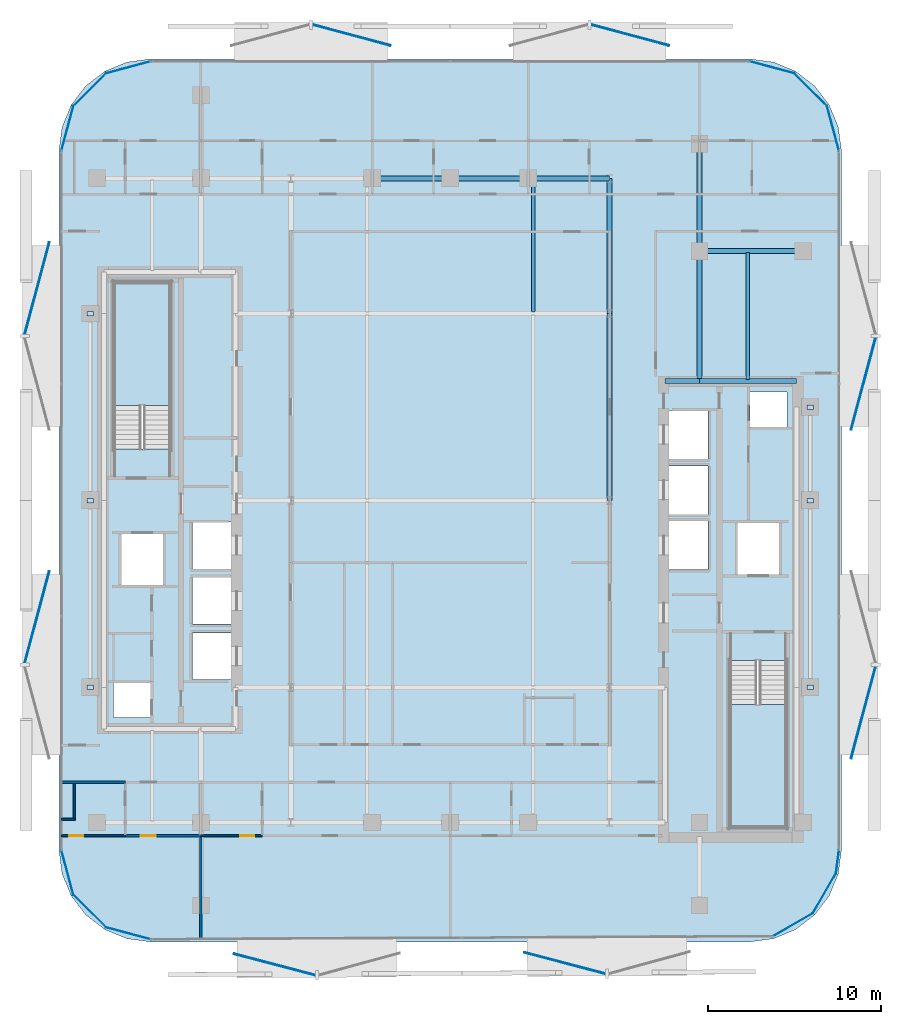
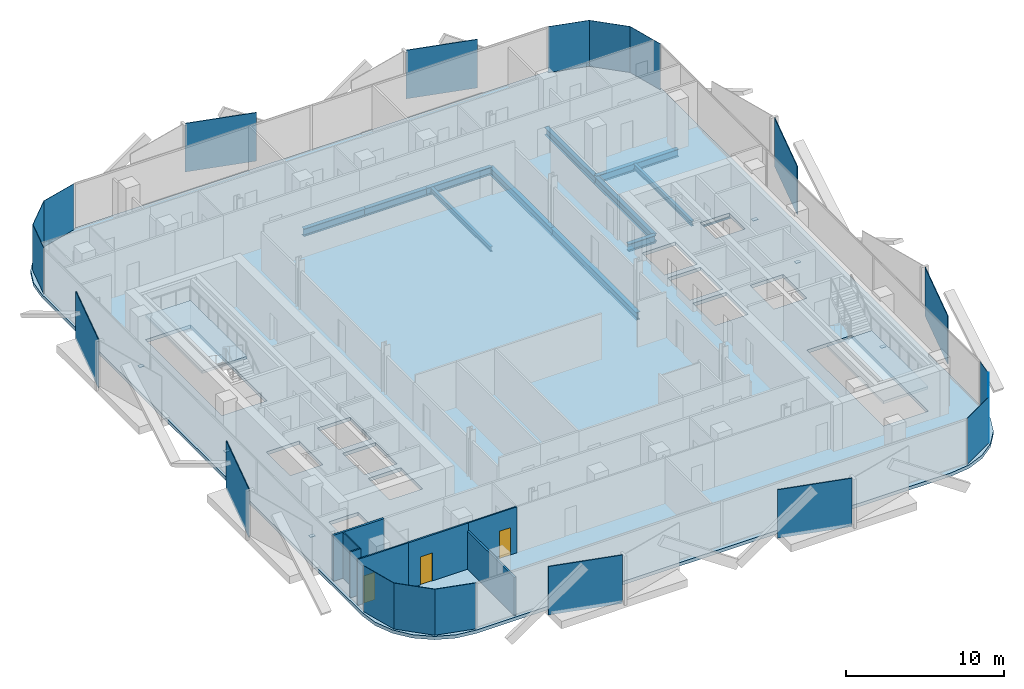
# One storey, part 2 of 17: 26 plates, 12 beams, 7 walls, 3 doors, 3 slabs, 3 openings, 2 elements without a shape of their own.
"""IFC4 building model written with IfcOpenShell, lengths in metres."""

from ifc_helpers import new_model, si_unit, direction, frame, frame_2d, origin, origin_2d, place, context, subcontext, project, spatial, polyline, rectangle, i_section, outline, extrude, material, layer, layer_set, material_profile, profile_set, type_object, element, fill, aggregate, save


model = new_model("IFC4")

# Units and contexts
model_context = context("Model", 3, precision=1e-05, world=origin(), true_north=direction((0.0, 1.0)))
body_context = subcontext(model_context, "Body", "Model", "MODEL_VIEW")
ifc_project = project(units=[si_unit("LENGTHUNIT", "METRE"), si_unit("AREAUNIT", "SQUARE_METRE"), si_unit("VOLUMEUNIT", "CUBIC_METRE"), si_unit("PLANEANGLEUNIT", "RADIAN"), si_unit("MASSUNIT", "GRAM", prefix="KILO")], contexts=[model_context])

# Site, building, storey
site_placement = place(None, origin())
site = spatial("IfcSite", under=ifc_project, at=site_placement, CompositionType="ELEMENT")
building_placement = place(site_placement, origin())
building = spatial("IfcBuilding", under=site, at=building_placement, Name="Khairoan Windgate Tower", CompositionType="ELEMENT")
storey_placement = place(building_placement, frame((0.0, 0.0, 172.60009765625)))
storey = spatial("IfcBuildingStorey", under=building, at=storey_placement, Name="L39", CompositionType="ELEMENT", Elevation=172.60009765625)

# Beams
ifc_material_1 = material(Name="Steel S355", Category="steel")
ifc_material_profile_1 = material_profile(ifc_material_1, i_section(OverallWidth=0.300048828125, OverallDepth=0.587890625, WebThickness=0.011962890625, FlangeThickness=0.02001953125, FilletRadius=0.02392578125, at=origin_2d()))
ifc_profile_set_1 = profile_set([ifc_material_profile_1], Name="Steel S355")
beam_type_1 = type_object("IfcBeamType", Name="Beam B-G4 H588x300x12x20", PredefinedType="BEAM", material=ifc_profile_set_1)
beam_1_placement = place(storey_placement, frame((12.39990234375, 6.89990234375, -0.55419921875), z_axis=(1.0, 0.0, 0.0), x_axis=(0.0, 1.0, 0.0)))
element("IfcBeam", 1, at=beam_1_placement, inside=storey, type_object=beam_type_1, Name="L39 E-W Primary Girder 15", PredefinedType="BEAM", context=body_context, shape_type="SweptSolid", body=[
    extrude(i_section(OverallWidth=0.300048828125, OverallDepth=0.587890625, WebThickness=0.011962890625, FlangeThickness=0.02001953125, FilletRadius=0.02392578125, at=origin_2d()), origin(), (0.0, 0.0, 1.0), 2.0),
])
beam_2_placement = place(storey_placement, frame((14.39990234375, 6.89990234375, -0.55419921875), z_axis=(1.0, 0.0, 0.0), x_axis=(0.0, 1.0, 0.0)))
element("IfcBeam", 2, at=beam_2_placement, inside=storey, type_object=beam_type_1, Name="L39 E-W Primary Girder 16", PredefinedType="BEAM", context=body_context, shape_type="SweptSolid", body=[
    extrude(i_section(OverallWidth=0.300048828125, OverallDepth=0.587890625, WebThickness=0.011962890625, FlangeThickness=0.02001953125, FilletRadius=0.02392578125, at=origin_2d()), origin(), (0.0, 0.0, 1.0), 5.60009765625),
])
beam_3_placement = place(storey_placement, frame((14.39990234375, 14.39990234375, -0.55419921875), z_axis=(1.0, 0.0, 0.0), x_axis=(0.0, 1.0, 0.0)))
element("IfcBeam", 3, at=beam_3_placement, inside=storey, type_object=beam_type_1, Name="L39 E-W Primary Girder 21", PredefinedType="BEAM", context=body_context, shape_type="SweptSolid", body=[
    extrude(i_section(OverallWidth=0.300048828125, OverallDepth=0.587890625, WebThickness=0.011962890625, FlangeThickness=0.02001953125, FilletRadius=0.02392578125, at=origin_2d()), origin(), (0.0, 0.0, 1.0), 6.0),
])
for number, where, z_axis, x_axis, name in (
    (4, (-4.5, 18.60009765625, -0.55419921875), (1.0, 0.0, 0.0), (0.0, 1.0, 0.0), "L39 E-W Primary Girder 25"),
    (5, (0.0, 18.60009765625, -0.55419921875), (1.0, 0.0, 0.0), (0.0, 1.0, 0.0), "L39 E-W Primary Girder 26"),
):
    element("IfcBeam", number, at=place(storey_placement, frame(where, z_axis=z_axis, x_axis=x_axis)), inside=storey, type_object=beam_type_1, Name=name, PredefinedType="BEAM", context=body_context, shape_type="SweptSolid", body=[
        extrude(i_section(OverallWidth=0.300048828125, OverallDepth=0.587890625, WebThickness=0.011962890625, FlangeThickness=0.02001953125, FilletRadius=0.02392578125, at=origin_2d()), origin(), (0.0, 0.0, 1.0), 4.5),
    ])
beam_4_placement = place(storey_placement, frame((4.5, 18.60009765625, -0.55419921875), z_axis=(1.0, 0.0, 0.0), x_axis=(0.0, 1.0, 0.0)))
element("IfcBeam", 6, at=beam_4_placement, inside=storey, type_object=beam_type_1, Name="L39 E-W Primary Girder 27", PredefinedType="BEAM", context=body_context, shape_type="SweptSolid", body=[
    extrude(i_section(OverallWidth=0.300048828125, OverallDepth=0.587890625, WebThickness=0.011962890625, FlangeThickness=0.02001953125, FilletRadius=0.02392578125, at=origin_2d()), origin(), (0.0, 0.0, 1.0), 4.699951171875),
])
beam_5_placement = place(storey_placement, frame((9.199951171875, 0.0, -0.55419921875), z_axis=(0.0, 1.0, 0.0), x_axis=(-1.0, 0.0, 0.0)))
element("IfcBeam", 7, at=beam_5_placement, inside=storey, type_object=beam_type_1, Name="L39 N-S Primary Beam 47", PredefinedType="BEAM", context=body_context, shape_type="SweptSolid", body=[
    extrude(i_section(OverallWidth=0.300048828125, OverallDepth=0.587890625, WebThickness=0.011962890625, FlangeThickness=0.02001953125, FilletRadius=0.02392578125, at=origin_2d()), origin(), (0.0, 0.0, 1.0), 10.800048828125),
])
beam_6_placement = place(storey_placement, frame((9.199951171875, 10.800048828125, -0.55419921875), z_axis=(0.0, 1.0, 0.0), x_axis=(-1.0, 0.0, 0.0)))
element("IfcBeam", 8, at=beam_6_placement, inside=storey, type_object=beam_type_1, Name="L39 N-S Primary Beam 48", PredefinedType="BEAM", context=body_context, shape_type="SweptSolid", body=[
    extrude(i_section(OverallWidth=0.300048828125, OverallDepth=0.587890625, WebThickness=0.011962890625, FlangeThickness=0.02001953125, FilletRadius=0.02392578125, at=origin_2d()), origin(), (0.0, 0.0, 1.0), 7.800048828125),
])
beam_7_placement = place(storey_placement, frame((14.39990234375, 6.89990234375, -0.55419921875), z_axis=(0.0, 1.0, 0.0), x_axis=(-1.0, 0.0, 0.0)))
element("IfcBeam", 9, at=beam_7_placement, inside=storey, type_object=beam_type_1, Name="L39 N-S Primary Beam 51", PredefinedType="BEAM", context=body_context, shape_type="SweptSolid", body=[
    extrude(i_section(OverallWidth=0.300048828125, OverallDepth=0.587890625, WebThickness=0.011962890625, FlangeThickness=0.02001953125, FilletRadius=0.02392578125, at=origin_2d()), origin(), (0.0, 0.0, 1.0), 7.5),
])
beam_8_placement = place(storey_placement, frame((14.39990234375, 14.39990234375, -0.55419921875), z_axis=(0.0, 1.0, 0.0), x_axis=(-1.0, 0.0, 0.0)))
element("IfcBeam", 10, at=beam_8_placement, inside=storey, type_object=beam_type_1, Name="L39 N-S Primary Beam 52", PredefinedType="BEAM", context=body_context, shape_type="SweptSolid", body=[
    extrude(i_section(OverallWidth=0.300048828125, OverallDepth=0.587890625, WebThickness=0.011962890625, FlangeThickness=0.02001953125, FilletRadius=0.02392578125, at=origin_2d()), origin(), (0.0, 0.0, 1.0), 6.2001953125),
])
ifc_material_2 = material(Name="Steel S355", Category="steel")
ifc_material_profile_2 = material_profile(ifc_material_2, i_section(OverallWidth=0.199951171875, OverallDepth=0.39990234375, WebThickness=0.008056640625, FlangeThickness=0.012939453125, FilletRadius=0.01611328125, at=origin_2d()))
ifc_profile_set_2 = profile_set([ifc_material_profile_2], Name="Steel S355")
beam_type_2 = type_object("IfcBeamType", Name="Beam J-S4 H400x200x8x13", PredefinedType="JOIST", material=ifc_profile_set_2)
beam_9_placement = place(storey_placement, frame((4.800048828125, 10.889892578125, -0.460205078125), z_axis=(0.0, 1.0, 0.0), x_axis=(-1.0, 0.0, 0.0)))
element("IfcBeam", 11, at=beam_9_placement, inside=storey, type_object=beam_type_2, Name="L39 Secondary Floor Joist 10", PredefinedType="JOIST", context=body_context, shape_type="SweptSolid", body=[
    extrude(i_section(OverallWidth=0.199951171875, OverallDepth=0.39990234375, WebThickness=0.008056640625, FlangeThickness=0.012939453125, FilletRadius=0.01611328125, at=origin_2d()), origin(), (0.0, 0.0, 1.0), 7.6201171875),
])
beam_10_placement = place(storey_placement, frame((17.199951171875, 6.989990234375, -0.460205078125), z_axis=(0.0, 1.0, 0.0), x_axis=(-1.0, 0.0, 0.0)))
element("IfcBeam", 12, at=beam_10_placement, inside=storey, type_object=beam_type_2, Name="L39 Secondary Floor Joist 11", PredefinedType="JOIST", context=body_context, shape_type="SweptSolid", body=[
    extrude(i_section(OverallWidth=0.199951171875, OverallDepth=0.39990234375, WebThickness=0.008056640625, FlangeThickness=0.012939453125, FilletRadius=0.01611328125, at=origin_2d()), origin(), (0.0, 0.0, 1.0), 7.320068359375),
])

# Plates
ifc_material_3 = material(Name="Low-E Solar Control Laminated Glass", Category="glass")
ifc_layer_1 = layer(ifc_material_3, 0.030029296875, Name="Low-E Solar Control Laminated Glass")
ifc_layer_set_1 = layer_set([ifc_layer_1], Name="Low-E Solar Control Laminated Glass")
plate_type_1 = type_object("IfcPlateType", Name="Aerodynamic Wind-Corner Curved Glazing Plate", PredefinedType="USERDEFINED", material=ifc_layer_set_1)
plate_1_placement = place(storey_placement, frame((-18.585205078125, -25.013916015625, 0.0), z_axis=(0.0, 0.0, 1.0), x_axis=(-0.966061211211, 0.258313252067, 0.0)))
element("IfcPlate", 13, at=plate_1_placement, inside=storey, type_object=plate_type_1, Name="L39 Aerodynamic Wind-Corner Curved Glazing Panel 2", ObjectType="GLAZING PANEL", PredefinedType="USERDEFINED", context=body_context, shape_type="SweptSolid", body=[
    extrude(rectangle(XDim=2.719482421875, YDim=0.030029296875, at=origin_2d()), origin(), (0.0, 0.0, 1.0), 3.5400390625),
])
plate_2_placement = place(storey_placement, frame((-20.823486328125, -23.723388671875, 0.0), z_axis=(0.0, 0.0, 1.0), x_axis=(-0.707106781187, 0.707106781187, 0.0)))
element("IfcPlate", 14, at=plate_2_placement, inside=storey, type_object=plate_type_1, Name="L39 Aerodynamic Wind-Corner Curved Glazing Panel 3", ObjectType="GLAZING PANEL", PredefinedType="USERDEFINED", context=body_context, shape_type="SweptSolid", body=[
    extrude(rectangle(XDim=2.710205078125, YDim=0.030029296875, at=origin_2d()), origin(), (0.0, 0.0, 1.0), 3.5400390625),
])
for number, where, z_axis, x_axis, name in (
    (15, (-22.11376953125, -21.485107421875, 0.0), (0.0, 0.0, 1.0), (-0.258313252067, 0.966061211211, 0.0), "L39 Aerodynamic Wind-Corner Curved Glazing Panel 4"),
    (16, (-22.11376953125, 21.485107421875, 0.0), (0.0, 0.0, 1.0), (0.258313252067, 0.966061211211, 0.0), "L39 Aerodynamic Wind-Corner Curved Glazing Panel 6"),
):
    element("IfcPlate", number, at=place(storey_placement, frame(where, z_axis=z_axis, x_axis=x_axis)), inside=storey, type_object=plate_type_1, Name=name, ObjectType="GLAZING PANEL", PredefinedType="USERDEFINED", context=body_context, shape_type="SweptSolid", body=[
        extrude(rectangle(XDim=2.719482421875, YDim=0.030029296875, at=origin_2d()), origin(), (0.0, 0.0, 1.0), 3.5400390625),
    ])
plate_3_placement = place(storey_placement, frame((-20.823486328125, 23.723388671875, 0.0), z_axis=(0.0, 0.0, 1.0), x_axis=(0.707106781187, 0.707106781187, 0.0)))
element("IfcPlate", 17, at=plate_3_placement, inside=storey, type_object=plate_type_1, Name="L39 Aerodynamic Wind-Corner Curved Glazing Panel 7", ObjectType="GLAZING PANEL", PredefinedType="USERDEFINED", context=body_context, shape_type="SweptSolid", body=[
    extrude(rectangle(XDim=2.710205078125, YDim=0.030029296875, at=origin_2d()), origin(), (0.0, 0.0, 1.0), 3.5400390625),
])
for number, where, z_axis, x_axis, name in (
    (18, (-18.585205078125, 25.013916015625, 0.0), (0.0, 0.0, 1.0), (0.966061211211, 0.258313252067, 0.0), "L39 Aerodynamic Wind-Corner Curved Glazing Panel 8"),
    (19, (18.585205078125, 25.013916015625, 0.0), (0.0, 0.0, 1.0), (0.966061211211, -0.258313252067, 0.0), "L39 Aerodynamic Wind-Corner Curved Glazing Panel 10"),
):
    element("IfcPlate", number, at=place(storey_placement, frame(where, z_axis=z_axis, x_axis=x_axis)), inside=storey, type_object=plate_type_1, Name=name, ObjectType="GLAZING PANEL", PredefinedType="USERDEFINED", context=body_context, shape_type="SweptSolid", body=[
        extrude(rectangle(XDim=2.719482421875, YDim=0.030029296875, at=origin_2d()), origin(), (0.0, 0.0, 1.0), 3.5400390625),
    ])
plate_4_placement = place(storey_placement, frame((20.823486328125, 23.723388671875, 0.0), z_axis=(0.0, 0.0, 1.0), x_axis=(0.707106781187, -0.707106781187, 0.0)))
element("IfcPlate", 20, at=plate_4_placement, inside=storey, type_object=plate_type_1, Name="L39 Aerodynamic Wind-Corner Curved Glazing Panel 11", ObjectType="GLAZING PANEL", PredefinedType="USERDEFINED", context=body_context, shape_type="SweptSolid", body=[
    extrude(rectangle(XDim=2.710205078125, YDim=0.030029296875, at=origin_2d()), origin(), (0.0, 0.0, 1.0), 3.5400390625),
])
plate_5_placement = place(storey_placement, frame((22.11376953125, 21.485107421875, 0.0), z_axis=(0.0, 0.0, 1.0), x_axis=(0.258313252067, -0.966061211211, 0.0)))
element("IfcPlate", 21, at=plate_5_placement, inside=storey, type_object=plate_type_1, Name="L39 Aerodynamic Wind-Corner Curved Glazing Panel 12", ObjectType="GLAZING PANEL", PredefinedType="USERDEFINED", context=body_context, shape_type="SweptSolid", body=[
    extrude(rectangle(XDim=2.719482421875, YDim=0.030029296875, at=origin_2d()), origin(), (0.0, 0.0, 1.0), 3.5400390625),
])
plate_6_placement = place(storey_placement, frame((22.37158203125, -20.863037109375, 0.0), z_axis=(0.0, 0.0, 1.0), x_axis=(-0.13052619222, -0.991444861374, 0.0)))
element("IfcPlate", 22, at=plate_6_placement, inside=storey, type_object=plate_type_1, Name="L39 Aerodynamic Wind-Corner Curved Glazing Panel 14", ObjectType="GLAZING PANEL", PredefinedType="USERDEFINED", context=body_context, shape_type="SweptSolid", body=[
    extrude(rectangle(XDim=1.39599609375, YDim=0.030029296875, at=origin_2d()), origin(), (0.0, 0.0, 1.0), 3.5400390625),
])
for number, where, z_axis, x_axis, name in (
    (23, (21.615478515625, -22.69140625, 0.0), (0.0, 0.0, 1.0), (-0.5, -0.866025403784, 0.0), "L39 Aerodynamic Wind-Corner Curved Glazing Panel 15"),
    (24, (19.79150390625, -24.515380859375, 0.0), (0.0, 0.0, 1.0), (-0.866025403784, -0.5, 0.0), "L39 Aerodynamic Wind-Corner Curved Glazing Panel 16"),
):
    element("IfcPlate", number, at=place(storey_placement, frame(where, z_axis=z_axis, x_axis=x_axis)), inside=storey, type_object=plate_type_1, Name=name, ObjectType="GLAZING PANEL", PredefinedType="USERDEFINED", context=body_context, shape_type="SweptSolid", body=[
        extrude(rectangle(XDim=2.71044921875, YDim=0.030029296875, at=origin_2d()), origin(), (0.0, 0.0, 1.0), 3.5400390625),
    ])
ifc_material_4 = material(Name="Steel S355", Category="steel")
ifc_layer_2 = layer(ifc_material_4, 0.0400390625, Name="Steel S355")
ifc_layer_set_2 = layer_set([ifc_layer_2], Name="Steel S355")
plate_type_2 = type_object("IfcPlateType", Name="Hollow Section End-Cap Plate PL-CAP40", PredefinedType="SHEET", material=ifc_layer_set_2)
for number, where, z_axis, x_axis, name in (
    (25, (-20.800048828125, -10.784912109375, -0.455078125), (0.0, 0.0, 1.0), (0.0, 1.0, 0.0), "BM-SP-L39-028 steel end-cap plate 1"),
    (26, (-20.800048828125, -0.014892578125, -0.455078125), (0.0, 0.0, 1.0), (0.0, 1.0, 0.0), "BM-SP-L39-028 steel end-cap plate 2"),
    (27, (-20.800048828125, 10.784912109375, -0.455078125), (0.0, 0.0, 1.0), (0.0, 1.0, 0.0), "BM-SP-L39-029 steel end-cap plate 2"),
    (28, (20.800048828125, -10.784912109375, -0.455078125), (0.0, 0.0, 1.0), (0.0, 1.0, 0.0), "BM-SP-L39-056 steel end-cap plate 1"),
    (29, (20.800048828125, -0.014892578125, -0.455078125), (0.0, 0.0, 1.0), (0.0, 1.0, 0.0), "BM-SP-L39-056 steel end-cap plate 2"),
    (30, (20.800048828125, 5.385009765625, -0.455078125), (0.0, 0.0, 1.0), (0.0, 1.0, 0.0), "BM-SP-L39-057 steel end-cap plate 2"),
):
    element("IfcPlate", number, at=place(storey_placement, frame(where, z_axis=z_axis, x_axis=x_axis)), inside=storey, type_object=plate_type_2, Name=name, PredefinedType="SHEET", context=body_context, shape_type="SweptSolid", body=[
        extrude(rectangle(XDim=0.27001953125, YDim=0.3701171875, at=origin_2d()), origin(), (0.0, 0.0, 1.0), 0.0400390625),
    ])
ifc_material_5 = material(Name="Anodised Bronze Aluminium 6063-T6", Category="aluminium")
ifc_layer_3 = layer(ifc_material_5, 0.054931640625, Name="Anodised Bronze Aluminium 6063-T6")
ifc_layer_set_3 = layer_set([ifc_layer_3], Name="Anodised Bronze Aluminium 6063-T6")
plate_type_3 = type_object("IfcPlateType", Name="Perforated Bronze Solar Screen Panel BSP-1", PredefinedType="USERDEFINED", material=ifc_layer_set_3)
for number, where, z_axis, x_axis, name in (
    (31, (6.623291015625, -26.733154296875, -0.10009765625), (0.0, 0.0, 1.0), (-0.967179115616, 0.254095569259, 0.0), "L39 Perforated Bronze Solar Screen Panel 249R"),
    (32, (-10.1396484375, -26.815673828125, -0.10009765625), (0.0, 0.0, 1.0), (-0.967179115616, 0.254095569259, 0.0), "L39 Perforated Bronze Solar Screen Panel 250R"),
):
    element("IfcPlate", number, at=place(storey_placement, frame(where, z_axis=z_axis, x_axis=x_axis)), inside=storey, type_object=plate_type_3, Name=name, ObjectType="SCREEN", PredefinedType="USERDEFINED", context=body_context, shape_type="SweptSolid", body=[
        extrude(rectangle(XDim=4.861083984375, YDim=0.054931640625, at=origin_2d()), origin(), (0.0, 0.0, 1.0), 3.739990234375),
    ])
for number, where, z_axis, x_axis, name in (
    (33, (-23.8671875, -6.74560546875, -0.10009765625), (0.0, 0.0, 1.0), (0.258819045103, 0.965925826289, 0.0), "L39 Perforated Bronze Solar Screen Panel 251R"),
    (34, (-23.8671875, 12.2451171875, -0.10009765625), (0.0, 0.0, 1.0), (0.258819045103, 0.965925826289, 0.0), "L39 Perforated Bronze Solar Screen Panel 252R"),
):
    element("IfcPlate", number, at=place(storey_placement, frame(where, z_axis=z_axis, x_axis=x_axis)), inside=storey, type_object=plate_type_3, Name=name, ObjectType="SCREEN", PredefinedType="USERDEFINED", context=body_context, shape_type="SweptSolid", body=[
        extrude(rectangle(XDim=5.507080078125, YDim=0.054931640625, at=origin_2d()), origin(), (0.0, 0.0, 1.0), 3.739990234375),
    ])
for number, where, z_axis, x_axis, name in (
    (35, (-5.701904296875, 26.876220703125, -0.10009765625), (0.0, 0.0, 1.0), (0.965925826289, -0.258819045103, 0.0), "L39 Perforated Bronze Solar Screen Panel 253R"),
    (36, (10.388916015625, 26.876220703125, -0.10009765625), (0.0, 0.0, 1.0), (0.965925826289, -0.258819045103, 0.0), "L39 Perforated Bronze Solar Screen Panel 254R"),
):
    element("IfcPlate", number, at=place(storey_placement, frame(where, z_axis=z_axis, x_axis=x_axis)), inside=storey, type_object=plate_type_3, Name=name, ObjectType="SCREEN", PredefinedType="USERDEFINED", context=body_context, shape_type="SweptSolid", body=[
        extrude(rectangle(XDim=4.666015625, YDim=0.054931640625, at=origin_2d()), origin(), (0.0, 0.0, 1.0), 3.739990234375),
    ])
for number, where, z_axis, x_axis, name in (
    (37, (23.8671875, 6.74560546875, -0.10009765625), (0.0, 0.0, 1.0), (-0.258819045103, -0.965925826289, 0.0), "L39 Perforated Bronze Solar Screen Panel 255R"),
    (38, (23.8671875, -12.2451171875, -0.10009765625), (0.0, 0.0, 1.0), (-0.258819045103, -0.965925826289, 0.0), "L39 Perforated Bronze Solar Screen Panel 256R"),
):
    element("IfcPlate", number, at=place(storey_placement, frame(where, z_axis=z_axis, x_axis=x_axis)), inside=storey, type_object=plate_type_3, Name=name, ObjectType="SCREEN", PredefinedType="USERDEFINED", context=body_context, shape_type="SweptSolid", body=[
        extrude(rectangle(XDim=5.507080078125, YDim=0.054931640625, at=origin_2d()), origin(), (0.0, 0.0, 1.0), 3.739990234375),
    ])

# Stair, slab
ifc_material_6 = material(Name="Concrete C40/50", Category="concrete")
stair_type = type_object("IfcStairType", Name="Tower Core Dog-Leg Stair ST-T1 1560mm", PredefinedType="HALF_TURN_STAIR", material=ifc_material_6)
stair_1_placement = place(storey_placement, origin())
stair_1 = element("IfcStair", 39, at=stair_1_placement, inside=storey, type_object=stair_type, Name="L39 Stair ST1", PredefinedType="HALF_TURN_STAIR")
ifc_material_7 = material(Name="Concrete C40/50", Category="concrete")
ifc_layer_4 = layer(ifc_material_7, 0.199951171875, Name="Concrete C40/50")
ifc_layer_set_4 = layer_set([ifc_layer_4], Name="Concrete C40/50")
slab_type_1 = type_object("IfcSlabType", Name="Reinforced Concrete Stair Landing Slab STL-200", PredefinedType="LANDING", material=ifc_layer_set_4)
slab_1_placement = place(storey_placement, frame((0.0, 0.0, 1.699951171875)))
slab_1 = element("IfcSlab", 40, at=slab_1_placement, type_object=slab_type_1, Name="ST1 landing 1", PredefinedType="LANDING", context=body_context, shape_type="SweptSolid", body=[
    extrude(outline(polyline([(16.14990234375, -11.780029296875), (16.14990234375, -18.89990234375), (19.419921875, -18.89990234375), (19.419921875, -11.780029296875), (16.14990234375, -11.780029296875)])), origin(), (0.0, 0.0, 1.0), 0.199951171875),
])
aggregate(stair_1, [slab_1])

stair_2_placement = place(storey_placement, origin())
stair_2 = element("IfcStair", 41, at=stair_2_placement, inside=storey, type_object=stair_type, Name="L39 Stair ST2", PredefinedType="HALF_TURN_STAIR")
slab_2_placement = place(storey_placement, frame((0.0, 0.0, 1.699951171875)))
slab_2 = element("IfcSlab", 42, at=slab_2_placement, type_object=slab_type_1, Name="ST2 landing 1", PredefinedType="LANDING", context=body_context, shape_type="SweptSolid", body=[
    extrude(outline(polyline([(-16.14990234375, 5.47998046875), (-16.14990234375, 12.60009765625), (-19.419921875, 12.60009765625), (-19.419921875, 5.47998046875), (-16.14990234375, 5.47998046875)])), origin(), (0.0, 0.0, 1.0), 0.199951171875),
])
aggregate(stair_2, [slab_2])

# Slab
ifc_material_8 = material(Name="Concrete C40/50", Category="concrete")
ifc_layer_5 = layer(ifc_material_8, 0.260009765625, Name="Concrete C40/50")
ifc_layer_set_5 = layer_set([ifc_layer_5], Name="Concrete C40/50")
slab_type_2 = type_object("IfcSlabType", Name="Tower Composite Floor Slab FS2 260mm", PredefinedType="FLOOR", material=ifc_layer_set_5)
slab_3_placement = place(storey_placement, frame((0.0, 0.0, -0.260009765625)))
element("IfcSlab", 43, at=slab_3_placement, inside=storey, type_object=slab_type_2, Name="L39 Structural Floor Slab", PredefinedType="FLOOR", context=body_context, shape_type="SweptSolid", body=[
    extrude(outline(polyline([(17.300048828125, -25.5), (18.671630859375, -25.3193359375), (19.949951171875, -24.789794921875), (21.047607421875, -23.94775390625), (21.889892578125, -22.85009765625), (22.41943359375, -21.57177734375), (22.60009765625, -20.199951171875), (22.60009765625, 20.199951171875), (22.41943359375, 21.57177734375), (21.889892578125, 22.85009765625), (21.047607421875, 23.94775390625), (19.949951171875, 24.789794921875), (18.671630859375, 25.3193359375), (17.300048828125, 25.5), (-17.300048828125, 25.5), (-18.671630859375, 25.3193359375), (-19.949951171875, 24.789794921875), (-21.047607421875, 23.94775390625), (-21.889892578125, 22.85009765625), (-22.41943359375, 21.57177734375), (-22.60009765625, 20.199951171875), (-22.60009765625, -20.199951171875), (-22.41943359375, -21.57177734375), (-21.889892578125, -22.85009765625), (-21.047607421875, -23.94775390625), (-19.949951171875, -24.789794921875), (-18.671630859375, -25.3193359375), (-17.300048828125, -25.5), (17.300048828125, -25.5)]), holes=[polyline([(16.14990234375, -9.260009765625), (16.14990234375, -18.89990234375), (19.419921875, -18.89990234375), (19.419921875, -9.260009765625), (16.14990234375, -9.260009765625)]), polyline([(-16.14990234375, 2.9599609375), (-16.14990234375, 12.60009765625), (-19.419921875, 12.60009765625), (-19.419921875, 2.9599609375), (-16.14990234375, 2.9599609375)]), polyline([(-14.89990234375, -3.949951171875), (-12.5, -3.949951171875), (-12.5, -1.25), (-14.89990234375, -1.25), (-14.89990234375, -3.949951171875)]), polyline([(-14.89990234375, -7.14990234375), (-12.5, -7.14990234375), (-12.5, -4.449951171875), (-14.89990234375, -4.449951171875), (-14.89990234375, -7.14990234375)]), polyline([(-14.89990234375, -10.35009765625), (-12.5, -10.35009765625), (-12.5, -7.64990234375), (-14.89990234375, -7.64990234375), (-14.89990234375, -10.35009765625)]), polyline([(12.5, 2.39990234375), (14.89990234375, 2.39990234375), (14.89990234375, 5.199951171875), (12.5, 5.199951171875), (12.5, 2.39990234375)]), polyline([(12.5, -0.800048828125), (14.89990234375, -0.800048828125), (14.89990234375, 2.0), (12.5, 2.0), (12.5, -0.800048828125)]), polyline([(12.5, -4.0), (14.89990234375, -4.0), (14.89990234375, -1.199951171875), (12.5, -1.199951171875), (12.5, -4.0)]), polyline([(16.60009765625, -4.300048828125), (19.0, -4.300048828125), (19.0, -1.300048828125), (16.60009765625, -1.300048828125), (16.60009765625, -4.300048828125)]), polyline([(-19.0, -4.89990234375), (-16.60009765625, -4.89990234375), (-16.60009765625, -1.89990234375), (-19.0, -1.89990234375), (-19.0, -4.89990234375)]), polyline([(-19.449951171875, -12.550048828125), (-17.31005859375, -12.550048828125), (-17.31005859375, -10.550048828125), (-19.449951171875, -10.550048828125), (-19.449951171875, -12.550048828125)]), polyline([(17.31005859375, 4.25), (19.449951171875, 4.25), (19.449951171875, 6.25), (17.31005859375, 6.25), (17.31005859375, 4.25)])]), origin(), (0.0, 0.0, 1.0), 0.260009765625),
])

# Wall, opening, door
ifc_material_9 = material(Name="Moisture-Resistant Gypsum Partition", Category="gypsum")
ifc_layer_6 = layer(ifc_material_9, 0.10009765625, Name="Moisture-Resistant Gypsum Partition")
ifc_layer_set_6 = layer_set([ifc_layer_6], Name="Moisture-Resistant Gypsum Partition")
wall_type_1 = type_object("IfcWallType", Name="Bathroom Wet-Area Partition Wall", PredefinedType="PARTITIONING", material=ifc_layer_set_6)
wall_1_placement = place(storey_placement, frame((-22.455078125, -19.3701171875, 0.0), z_axis=(0.0, 0.0, 1.0), x_axis=(1.0, 0.0, 0.0)))
wall_1 = element("IfcWall", 44, at=wall_1_placement, inside=storey, type_object=wall_type_1, Name="L39 Interior Partition 072", PredefinedType="PARTITIONING", context=body_context, shape_type="SweptSolid", body=[
    extrude(rectangle(XDim=3.691162109375, YDim=0.10009765625, at=frame_2d((1.845703125, 0.0))), origin(), (0.0, 0.0, 1.0), 3.539794921875),
])
opening_1_placement = place(wall_1_placement, frame((0.4599609375, 0.0, 0.0)))
opening_1 = element("IfcOpeningElement", 45, at=opening_1_placement, cuts=wall_1, Name="Opening ID-BTH", PredefinedType="OPENING", context=body_context, shape_type="SweptSolid", body=[
    extrude(rectangle(XDim=0.800048828125, YDim=2.10009765625, at=frame_2d((0.39990234375, 1.050048828125))), frame((0.0, 0.06005859375, 0.0), z_axis=(0.0, -1.0, 0.0), x_axis=(1.0, 0.0, 0.0)), (0.0, 0.0, 1.0), 0.1201171875),
])
ifc_material_10 = material(Name="Teak Veneer Timber Leaf", Category="wood")
door_type_1 = type_object("IfcDoorType", Name="Internal Bathroom Door ID-BTH 800x2100", OperationType="NOTDEFINED", PredefinedType="DOOR", material=ifc_material_10)
door_1_placement = place(opening_1_placement, origin())
door_1 = element("IfcDoor", 46, at=door_1_placement, inside=storey, type_object=door_type_1, Name="L39 L39-52-L39-54 Door", OperationType="SINGLE_SWING_LEFT", OverallHeight=2.10009765625, OverallWidth=0.800048828125, PredefinedType="DOOR", context=body_context, shape_type="SweptSolid", body=[
    extrude(rectangle(XDim=0.800048828125, YDim=2.10009765625, at=frame_2d((0.39990234375, 1.050048828125))), frame((0.0, 0.02490234375, 0.0), z_axis=(0.0, -1.0, 0.0), x_axis=(1.0, 0.0, 0.0)), (0.0, 0.0, 1.0), 0.050048828125),
])
fill(opening_1, door_1)

wall_2_placement = place(storey_placement, frame((-14.39990234375, -19.3701171875, 0.0), z_axis=(0.0, 0.0, 1.0), x_axis=(1.0, 0.0, 0.0)))
wall_2 = element("IfcWall", 47, at=wall_2_placement, inside=storey, type_object=wall_type_1, Name="L39 Interior Partition 077", PredefinedType="PARTITIONING", context=body_context, shape_type="SweptSolid", body=[
    extrude(rectangle(XDim=3.539794921875, YDim=0.10009765625, at=frame_2d((1.77001953125, 0.0))), origin(), (0.0, 0.0, 1.0), 3.539794921875),
])
opening_2_placement = place(wall_2_placement, frame((2.280029296875, 0.0, 0.0)))
opening_2 = element("IfcOpeningElement", 48, at=opening_2_placement, cuts=wall_2, Name="Opening ID-BTH", PredefinedType="OPENING", context=body_context, shape_type="SweptSolid", body=[
    extrude(rectangle(XDim=0.800048828125, YDim=2.10009765625, at=frame_2d((0.39990234375, 1.050048828125))), frame((0.0, 0.06005859375, 0.0), z_axis=(0.0, -1.0, 0.0), x_axis=(1.0, 0.0, 0.0)), (0.0, 0.0, 1.0), 0.1201171875),
])
door_2_placement = place(opening_2_placement, origin())
door_2 = element("IfcDoor", 49, at=door_2_placement, inside=storey, type_object=door_type_1, Name="L39 L39-55-L39-57 Door", OperationType="SINGLE_SWING_RIGHT", OverallHeight=2.10009765625, OverallWidth=0.800048828125, PredefinedType="DOOR", context=body_context, shape_type="SweptSolid", body=[
    extrude(rectangle(XDim=0.800048828125, YDim=2.10009765625, at=frame_2d((0.39990234375, 1.050048828125))), frame((0.0, 0.02490234375, 0.0), z_axis=(0.0, -1.0, 0.0), x_axis=(1.0, 0.0, 0.0)), (0.0, 0.0, 1.0), 0.050048828125),
])
fill(opening_2, door_2)

# Walls
wall_3_placement = place(storey_placement, frame((-21.669921875, -18.419921875, 0.0), z_axis=(0.0, 0.0, 1.0), x_axis=(-1.0, 0.0, 0.0)))
element("IfcWall", 50, at=wall_3_placement, inside=storey, type_object=wall_type_1, Name="L39 Wet Room Side Wall 088", PredefinedType="PARTITIONING", context=body_context, shape_type="SweptSolid", body=[
    extrude(rectangle(XDim=0.78515625, YDim=0.10009765625, at=frame_2d((0.392578125, 0.0))), origin(), (0.0, 0.0, 1.0), 3.539794921875),
])
wall_4_placement = place(storey_placement, frame((-21.719970703125, -18.3701171875, 0.0), z_axis=(0.0, 0.0, 1.0), x_axis=(0.0, 1.0, 0.0)))
element("IfcWall", 51, at=wall_4_placement, inside=storey, type_object=wall_type_1, Name="L39 Wet Room Side Wall 089", PredefinedType="PARTITIONING", context=body_context, shape_type="SweptSolid", body=[
    extrude(rectangle(XDim=2.01513671875, YDim=0.10009765625, at=frame_2d((1.007568359375, 0.0))), origin(), (0.0, 0.0, 1.0), 3.539794921875),
])
ifc_material_11 = material(Name="Acoustic Fire-Rated Gypsum Partition", Category="gypsum")
ifc_layer_7 = layer(ifc_material_11, 0.139892578125, Name="Acoustic Fire-Rated Gypsum Partition")
ifc_layer_set_7 = layer_set([ifc_layer_7], Name="Acoustic Fire-Rated Gypsum Partition")
wall_type_2 = type_object("IfcWallType", Name="Inter-Tenancy Compartment Wall", PredefinedType="PARTITIONING", material=ifc_layer_set_7)
wall_5_placement = place(storey_placement, frame((-14.39990234375, -25.3408203125, 0.0), z_axis=(0.0, 0.0, 1.0), x_axis=(0.0, 1.0, 0.0)))
element("IfcWall", 52, at=wall_5_placement, inside=storey, type_object=wall_type_2, Name="L39 Interior Partition 075", PredefinedType="PARTITIONING", context=body_context, shape_type="SweptSolid", body=[
    extrude(rectangle(XDim=5.970703125, YDim=0.139892578125, at=frame_2d((2.9853515625, 0.0))), origin(), (0.0, 0.0, 1.0), 2.951904296875),
])

# Wall, opening, door
ifc_material_12 = material(Name="Gypsum Stud Partition", Category="gypsum")
ifc_layer_8 = layer(ifc_material_12, 0.1201171875, Name="Gypsum Stud Partition")
ifc_layer_set_8 = layer_set([ifc_layer_8], Name="Gypsum Stud Partition")
wall_type_3 = type_object("IfcWallType", Name="Internal Room Partition Wall", PredefinedType="PARTITIONING", material=ifc_layer_set_8)
wall_6_placement = place(storey_placement, frame((-18.763916015625, -19.3701171875, 0.0), z_axis=(0.0, 0.0, 1.0), x_axis=(1.0, 0.0, 0.0)))
wall_6 = element("IfcWall", 53, at=wall_6_placement, inside=storey, type_object=wall_type_3, Name="L39 Interior Partition 073", PredefinedType="PARTITIONING", context=body_context, shape_type="SweptSolid", body=[
    extrude(rectangle(XDim=4.364013671875, YDim=0.1201171875, at=frame_2d((2.18212890625, 0.0))), origin(), (0.0, 0.0, 1.0), 3.539794921875),
])
opening_3_placement = place(wall_6_placement, frame((0.890625, 0.0, 0.0)))
opening_3 = element("IfcOpeningElement", 54, at=opening_3_placement, cuts=wall_6, Name="Opening ID-RM", PredefinedType="OPENING", context=body_context, shape_type="SweptSolid", body=[
    extrude(rectangle(XDim=0.860107421875, YDim=2.14990234375, at=frame_2d((0.43017578125, 1.074951171875))), frame((0.0, 0.070068359375, 0.0), z_axis=(0.0, -1.0, 0.0), x_axis=(1.0, 0.0, 0.0)), (0.0, 0.0, 1.0), 0.14013671875),
])
ifc_material_13 = material(Name="Teak Veneer Timber Leaf", Category="wood")
door_type_2 = type_object("IfcDoorType", Name="Internal Bedroom and Office Door ID-RM 860x2150", OperationType="NOTDEFINED", PredefinedType="DOOR", material=ifc_material_13)
door_3_placement = place(opening_3_placement, origin())
door_3 = element("IfcDoor", 55, at=door_3_placement, inside=storey, type_object=door_type_2, Name="L39 L39-53-L39-54 Door", OperationType="SINGLE_SWING_RIGHT", OverallHeight=2.14990234375, OverallWidth=0.860107421875, PredefinedType="DOOR", context=body_context, shape_type="SweptSolid", body=[
    extrude(rectangle(XDim=0.860107421875, YDim=2.14990234375, at=frame_2d((0.43017578125, 1.074951171875))), frame((0.0, 0.02490234375, 0.0), z_axis=(0.0, -1.0, 0.0), x_axis=(1.0, 0.0, 0.0)), (0.0, 0.0, 1.0), 0.050048828125),
])
fill(opening_3, door_3)

# Wall
ifc_material_14 = material(Name="Acoustic Fire-Rated Gypsum Partition", Category="gypsum")
ifc_layer_9 = layer(ifc_material_14, 0.14990234375, Name="Acoustic Fire-Rated Gypsum Partition")
ifc_layer_set_9 = layer_set([ifc_layer_9], Name="Acoustic Fire-Rated Gypsum Partition")
wall_type_4 = type_object("IfcWallType", Name="Rated Corridor Partition Wall", PredefinedType="PARTITIONING", material=ifc_layer_set_9)
wall_7_placement = place(storey_placement, frame((-22.455078125, -16.280029296875, 0.0), z_axis=(0.0, 0.0, 1.0), x_axis=(1.0, 0.0, 0.0)))
element("IfcWall", 56, at=wall_7_placement, inside=storey, type_object=wall_type_4, Name="L39 Interior Partition 033", PredefinedType="PARTITIONING", context=body_context, shape_type="SweptSolid", body=[
    extrude(rectangle(XDim=3.691162109375, YDim=0.14990234375, at=frame_2d((1.845703125, 0.0))), origin(), (0.0, 0.0, 1.0), 3.539794921875),
])

save(model, "model.ifc")
